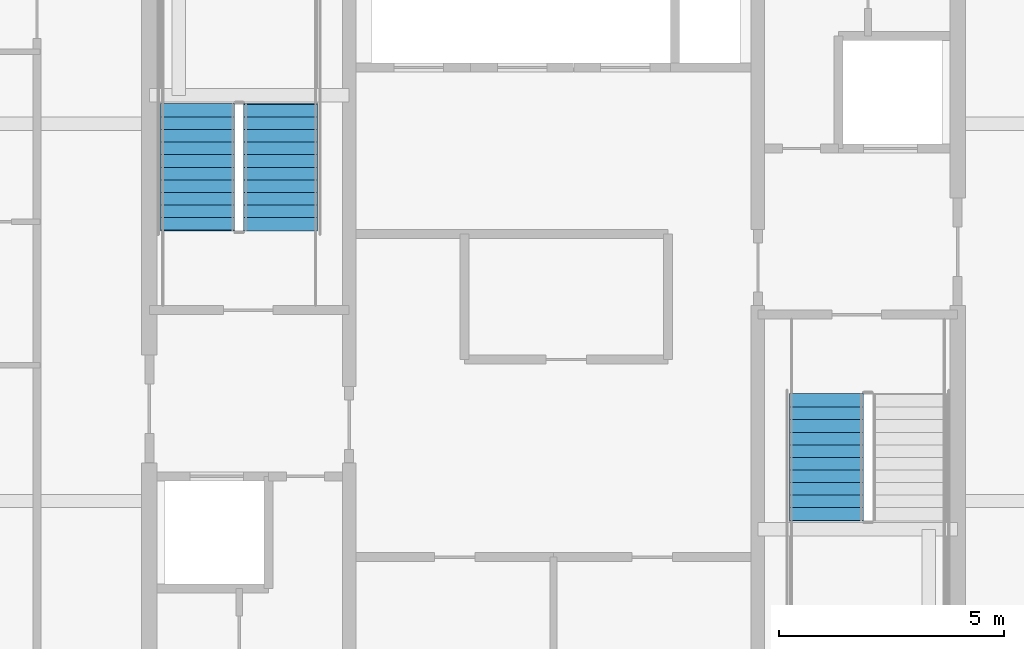
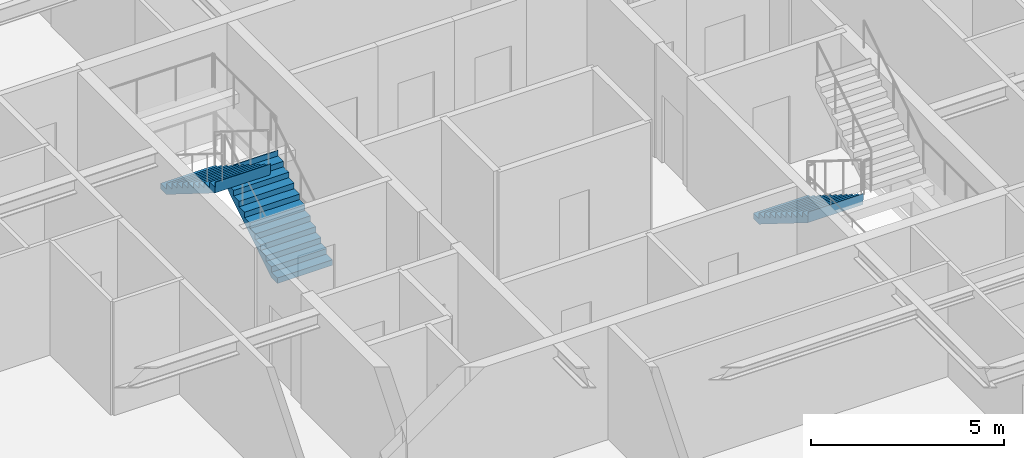
# One storey, part 30 of 37: 3 stair flights, 2 elements without a shape of their own.
"""IFC4 building model written with IfcOpenShell, lengths in metres."""

from ifc_helpers import new_model, si_unit, direction, frame, origin, place, context, subcontext, project, spatial, polygons, material, type_object, element, aggregate, save


model = new_model("IFC4")

# Units and contexts
model_context = context("Model", 3, precision=1e-05, world=origin(), true_north=direction((0.0, 1.0)))
body_context = subcontext(model_context, "Body", "Model", "MODEL_VIEW")
ifc_project = project(units=[si_unit("LENGTHUNIT", "METRE"), si_unit("AREAUNIT", "SQUARE_METRE"), si_unit("VOLUMEUNIT", "CUBIC_METRE"), si_unit("PLANEANGLEUNIT", "RADIAN"), si_unit("MASSUNIT", "GRAM", prefix="KILO")], contexts=[model_context])

# Site, building, storey
site_placement = place(None, origin())
site = spatial("IfcSite", under=ifc_project, at=site_placement, CompositionType="ELEMENT")
building_placement = place(site_placement, origin())
building = spatial("IfcBuilding", under=site, at=building_placement, Name="Serunith Strait Residences", CompositionType="ELEMENT")
storey_placement = place(building_placement, frame((0.0, 0.0, 218.14990234375)))
storey = spatial("IfcBuildingStorey", under=building, at=storey_placement, Name="L54", CompositionType="ELEMENT", Elevation=218.14990234375)

# Stair, stair flights
ifc_material = material(Name="Concrete C50/60", Category="concrete")
stair_type_1 = type_object("IfcStairType", Name="STR-CORE-1", PredefinedType="HALF_TURN_STAIR", material=ifc_material)
stair_1_placement = place(storey_placement, origin())
stair_1 = element("IfcStair", 1, at=stair_1_placement, inside=storey, type_object=stair_type_1, Name="L54 Protected Escape Stair ST-1", PredefinedType="HALF_TURN_STAIR")
stair_flight_type_1 = type_object("IfcStairFlightType", Name="FLT-CORE-1", PredefinedType="STRAIGHT", material=ifc_material)
stair_flight_1_placement = place(storey_placement, frame((26.324951171875, 27.030029296875, 0.0), z_axis=(0.0, 0.0, 1.0), x_axis=(0.0, 1.0, 0.0)))
stair_flight_1 = element("IfcStairFlight", 2, at=stair_flight_1_placement, type_object=stair_flight_type_1, Name="ST-1 flight 1", NumberOfRisers=11, NumberOfTreads=10, PredefinedType="STRAIGHT", RiserHeight=0.175, TreadLength=0.28, context=body_context, shape_type="Tessellation", body=[
    polygons([(-0.02001953125, -0.824951171875, 0.0), (-0.02001953125, -0.824951171875, 0.175048828125), (0.280029296875, -0.824951171875, 0.175048828125), (0.280029296875, -0.824951171875, 0.35009765625), (0.56005859375, -0.824951171875, 0.35009765625), (0.56005859375, -0.824951171875, 0.52490234375), (0.840087890625, -0.824951171875, 0.52490234375), (0.840087890625, -0.824951171875, 0.699951171875), (1.1201171875, -0.824951171875, 0.699951171875), (1.1201171875, -0.824951171875, 0.875), (1.39990234375, -0.824951171875, 0.875), (1.39990234375, -0.824951171875, 1.050048828125), (1.679931640625, -0.824951171875, 1.050048828125), (1.679931640625, -0.824951171875, 1.22509765625), (1.9599609375, -0.824951171875, 1.22509765625), (1.9599609375, -0.824951171875, 1.39990234375), (2.239990234375, -0.824951171875, 1.39990234375), (2.239990234375, -0.824951171875, 1.574951171875), (2.52001953125, -0.824951171875, 1.574951171875), (2.52001953125, -0.824951171875, 1.75), (2.800048828125, -0.824951171875, 1.75), (2.800048828125, -0.824951171875, 1.925048828125), (2.820068359375, -0.824951171875, 1.925048828125), (2.820068359375, -0.824951171875, 1.864990234375), (2.800048828125, -0.824951171875, 1.5732421875), (0.28271484375, -0.824951171875, 0.0), (-0.02001953125, -0.41259765625, 0.0), (-0.02001953125, -0.41259765625, 0.175048828125), (0.280029296875, -0.41259765625, 0.175048828125), (0.280029296875, -0.41259765625, 0.35009765625), (0.56005859375, -0.41259765625, 0.35009765625), (0.56005859375, -0.41259765625, 0.52490234375), (0.840087890625, -0.41259765625, 0.52490234375), (0.840087890625, -0.41259765625, 0.699951171875), (1.1201171875, -0.41259765625, 0.699951171875), (1.1201171875, -0.41259765625, 0.875), (1.39990234375, -0.41259765625, 0.875), (1.39990234375, -0.41259765625, 1.050048828125), (1.679931640625, -0.41259765625, 1.050048828125), (1.679931640625, -0.41259765625, 1.22509765625), (1.9599609375, -0.41259765625, 1.22509765625), (1.9599609375, -0.41259765625, 1.39990234375), (2.239990234375, -0.41259765625, 1.39990234375), (2.239990234375, -0.41259765625, 1.574951171875), (2.52001953125, -0.41259765625, 1.574951171875), (2.52001953125, -0.41259765625, 1.75), (2.800048828125, -0.41259765625, 1.75), (2.800048828125, -0.41259765625, 1.925048828125), (2.820068359375, -0.41259765625, 1.925048828125), (2.820068359375, -0.41259765625, 1.864990234375), (2.800048828125, -0.41259765625, 1.5732421875), (0.28271484375, -0.41259765625, 0.0), (-0.02001953125, 0.0, 0.0), (-0.02001953125, 0.0, 0.175048828125), (0.280029296875, 0.0, 0.175048828125), (0.280029296875, 0.0, 0.35009765625), (0.56005859375, 0.0, 0.35009765625), (0.56005859375, 0.0, 0.52490234375), (0.840087890625, 0.0, 0.52490234375), (0.840087890625, 0.0, 0.699951171875), (1.1201171875, 0.0, 0.699951171875), (1.1201171875, 0.0, 0.875), (1.39990234375, 0.0, 0.875), (1.39990234375, 0.0, 1.050048828125), (1.679931640625, 0.0, 1.050048828125), (1.679931640625, 0.0, 1.22509765625), (1.9599609375, 0.0, 1.22509765625), (1.9599609375, 0.0, 1.39990234375), (2.239990234375, 0.0, 1.39990234375), (2.239990234375, 0.0, 1.574951171875), (2.52001953125, 0.0, 1.574951171875), (2.52001953125, 0.0, 1.75), (2.800048828125, 0.0, 1.75), (2.800048828125, 0.0, 1.925048828125), (2.820068359375, 0.0, 1.925048828125), (2.820068359375, 0.0, 1.864990234375), (2.800048828125, 0.0, 1.5732421875), (0.28271484375, 0.0, 0.0), (-0.02001953125, 0.41259765625, 0.0), (-0.02001953125, 0.41259765625, 0.175048828125), (0.280029296875, 0.41259765625, 0.175048828125), (0.280029296875, 0.41259765625, 0.35009765625), (0.56005859375, 0.41259765625, 0.35009765625), (0.56005859375, 0.41259765625, 0.52490234375), (0.840087890625, 0.41259765625, 0.52490234375), (0.840087890625, 0.41259765625, 0.699951171875), (1.1201171875, 0.41259765625, 0.699951171875), (1.1201171875, 0.41259765625, 0.875), (1.39990234375, 0.41259765625, 0.875), (1.39990234375, 0.41259765625, 1.050048828125), (1.679931640625, 0.41259765625, 1.050048828125), (1.679931640625, 0.41259765625, 1.22509765625), (1.9599609375, 0.41259765625, 1.22509765625), (1.9599609375, 0.41259765625, 1.39990234375), (2.239990234375, 0.41259765625, 1.39990234375), (2.239990234375, 0.41259765625, 1.574951171875), (2.52001953125, 0.41259765625, 1.574951171875), (2.52001953125, 0.41259765625, 1.75), (2.800048828125, 0.41259765625, 1.75), (2.800048828125, 0.41259765625, 1.925048828125), (2.820068359375, 0.41259765625, 1.925048828125), (2.820068359375, 0.41259765625, 1.864990234375), (2.800048828125, 0.41259765625, 1.5732421875), (0.28271484375, 0.41259765625, 0.0), (-0.02001953125, 0.824951171875, 0.0), (-0.02001953125, 0.824951171875, 0.175048828125), (0.280029296875, 0.824951171875, 0.175048828125), (0.280029296875, 0.824951171875, 0.35009765625), (0.56005859375, 0.824951171875, 0.35009765625), (0.56005859375, 0.824951171875, 0.52490234375), (0.840087890625, 0.824951171875, 0.52490234375), (0.840087890625, 0.824951171875, 0.699951171875), (1.1201171875, 0.824951171875, 0.699951171875), (1.1201171875, 0.824951171875, 0.875), (1.39990234375, 0.824951171875, 0.875), (1.39990234375, 0.824951171875, 1.050048828125), (1.679931640625, 0.824951171875, 1.050048828125), (1.679931640625, 0.824951171875, 1.22509765625), (1.9599609375, 0.824951171875, 1.22509765625), (1.9599609375, 0.824951171875, 1.39990234375), (2.239990234375, 0.824951171875, 1.39990234375), (2.239990234375, 0.824951171875, 1.574951171875), (2.52001953125, 0.824951171875, 1.574951171875), (2.52001953125, 0.824951171875, 1.75), (2.800048828125, 0.824951171875, 1.75), (2.800048828125, 0.824951171875, 1.925048828125), (2.820068359375, 0.824951171875, 1.925048828125), (2.820068359375, 0.824951171875, 1.864990234375), (2.800048828125, 0.824951171875, 1.5732421875), (0.28271484375, 0.824951171875, 0.0)], [[[1, 2, 28, 27]], [[2, 3, 29, 28]], [[3, 4, 30, 29]], [[4, 5, 31, 30]], [[5, 6, 32, 31]], [[6, 7, 33, 32]], [[7, 8, 34, 33]], [[8, 9, 35, 34]], [[9, 10, 36, 35]], [[10, 11, 37, 36]], [[11, 12, 38, 37]], [[12, 13, 39, 38]], [[13, 14, 40, 39]], [[14, 15, 41, 40]], [[15, 16, 42, 41]], [[16, 17, 43, 42]], [[17, 18, 44, 43]], [[18, 19, 45, 44]], [[19, 20, 46, 45]], [[20, 21, 47, 46]], [[21, 22, 48, 47]], [[22, 23, 49, 48]], [[23, 24, 50, 49]], [[24, 25, 51, 50]], [[25, 26, 52, 51]], [[26, 1, 27, 52]], [[27, 28, 54, 53]], [[28, 29, 55, 54]], [[29, 30, 56, 55]], [[30, 31, 57, 56]], [[31, 32, 58, 57]], [[32, 33, 59, 58]], [[33, 34, 60, 59]], [[34, 35, 61, 60]], [[35, 36, 62, 61]], [[36, 37, 63, 62]], [[37, 38, 64, 63]], [[38, 39, 65, 64]], [[39, 40, 66, 65]], [[40, 41, 67, 66]], [[41, 42, 68, 67]], [[42, 43, 69, 68]], [[43, 44, 70, 69]], [[44, 45, 71, 70]], [[45, 46, 72, 71]], [[46, 47, 73, 72]], [[47, 48, 74, 73]], [[48, 49, 75, 74]], [[49, 50, 76, 75]], [[50, 51, 77, 76]], [[51, 52, 78, 77]], [[52, 27, 53, 78]], [[53, 54, 80, 79]], [[54, 55, 81, 80]], [[55, 56, 82, 81]], [[56, 57, 83, 82]], [[57, 58, 84, 83]], [[58, 59, 85, 84]], [[59, 60, 86, 85]], [[60, 61, 87, 86]], [[61, 62, 88, 87]], [[62, 63, 89, 88]], [[63, 64, 90, 89]], [[64, 65, 91, 90]], [[65, 66, 92, 91]], [[66, 67, 93, 92]], [[67, 68, 94, 93]], [[68, 69, 95, 94]], [[69, 70, 96, 95]], [[70, 71, 97, 96]], [[71, 72, 98, 97]], [[72, 73, 99, 98]], [[73, 74, 100, 99]], [[74, 75, 101, 100]], [[75, 76, 102, 101]], [[76, 77, 103, 102]], [[77, 78, 104, 103]], [[78, 53, 79, 104]], [[79, 80, 106, 105]], [[80, 81, 107, 106]], [[81, 82, 108, 107]], [[82, 83, 109, 108]], [[83, 84, 110, 109]], [[84, 85, 111, 110]], [[85, 86, 112, 111]], [[86, 87, 113, 112]], [[87, 88, 114, 113]], [[88, 89, 115, 114]], [[89, 90, 116, 115]], [[90, 91, 117, 116]], [[91, 92, 118, 117]], [[92, 93, 119, 118]], [[93, 94, 120, 119]], [[94, 95, 121, 120]], [[95, 96, 122, 121]], [[96, 97, 123, 122]], [[97, 98, 124, 123]], [[98, 99, 125, 124]], [[99, 100, 126, 125]], [[100, 101, 127, 126]], [[101, 102, 128, 127]], [[102, 103, 129, 128]], [[103, 104, 130, 129]], [[104, 79, 105, 130]], [[26, 25, 24, 23, 22, 21, 20, 19, 18, 17, 16, 15, 14, 13, 12, 11, 10, 9, 8, 7, 6, 5, 4, 3, 2, 1]], [[105, 106, 107, 108, 109, 110, 111, 112, 113, 114, 115, 116, 117, 118, 119, 120, 121, 122, 123, 124, 125, 126, 127, 128, 129, 130]]], closed=True),
])
stair_flight_2_placement = place(storey_placement, frame((24.47509765625, 29.830078125, 1.925048828125), z_axis=(0.0, 0.0, 1.0), x_axis=(0.0, -1.0, 0.0)))
stair_flight_2 = element("IfcStairFlight", 3, at=stair_flight_2_placement, type_object=stair_flight_type_1, Name="ST-1 flight 2", NumberOfRisers=11, NumberOfTreads=10, PredefinedType="STRAIGHT", RiserHeight=0.175, TreadLength=0.28, context=body_context, shape_type="Tessellation", body=[
    polygons([(-0.02001953125, -0.824951171875, 0.0), (-0.02001953125, -0.824951171875, 0.175048828125), (0.280029296875, -0.824951171875, 0.175048828125), (0.280029296875, -0.824951171875, 0.35009765625), (0.56005859375, -0.824951171875, 0.35009765625), (0.56005859375, -0.824951171875, 0.52490234375), (0.840087890625, -0.824951171875, 0.52490234375), (0.840087890625, -0.824951171875, 0.699951171875), (1.1201171875, -0.824951171875, 0.699951171875), (1.1201171875, -0.824951171875, 0.875), (1.39990234375, -0.824951171875, 0.875), (1.39990234375, -0.824951171875, 1.050048828125), (1.679931640625, -0.824951171875, 1.050048828125), (1.679931640625, -0.824951171875, 1.22509765625), (1.9599609375, -0.824951171875, 1.22509765625), (1.9599609375, -0.824951171875, 1.39990234375), (2.239990234375, -0.824951171875, 1.39990234375), (2.239990234375, -0.824951171875, 1.574951171875), (2.52001953125, -0.824951171875, 1.574951171875), (2.52001953125, -0.824951171875, 1.75), (2.800048828125, -0.824951171875, 1.75), (2.800048828125, -0.824951171875, 1.925048828125), (2.820068359375, -0.824951171875, 1.925048828125), (2.820068359375, -0.824951171875, 1.864990234375), (2.800048828125, -0.824951171875, 1.5732421875), (0.28271484375, -0.824951171875, 0.0), (-0.02001953125, -0.41259765625, 0.0), (-0.02001953125, -0.41259765625, 0.175048828125), (0.280029296875, -0.41259765625, 0.175048828125), (0.280029296875, -0.41259765625, 0.35009765625), (0.56005859375, -0.41259765625, 0.35009765625), (0.56005859375, -0.41259765625, 0.52490234375), (0.840087890625, -0.41259765625, 0.52490234375), (0.840087890625, -0.41259765625, 0.699951171875), (1.1201171875, -0.41259765625, 0.699951171875), (1.1201171875, -0.41259765625, 0.875), (1.39990234375, -0.41259765625, 0.875), (1.39990234375, -0.41259765625, 1.050048828125), (1.679931640625, -0.41259765625, 1.050048828125), (1.679931640625, -0.41259765625, 1.22509765625), (1.9599609375, -0.41259765625, 1.22509765625), (1.9599609375, -0.41259765625, 1.39990234375), (2.239990234375, -0.41259765625, 1.39990234375), (2.239990234375, -0.41259765625, 1.574951171875), (2.52001953125, -0.41259765625, 1.574951171875), (2.52001953125, -0.41259765625, 1.75), (2.800048828125, -0.41259765625, 1.75), (2.800048828125, -0.41259765625, 1.925048828125), (2.820068359375, -0.41259765625, 1.925048828125), (2.820068359375, -0.41259765625, 1.864990234375), (2.800048828125, -0.41259765625, 1.5732421875), (0.28271484375, -0.41259765625, 0.0), (-0.02001953125, 0.0, 0.0), (-0.02001953125, 0.0, 0.175048828125), (0.280029296875, 0.0, 0.175048828125), (0.280029296875, 0.0, 0.35009765625), (0.56005859375, 0.0, 0.35009765625), (0.56005859375, 0.0, 0.52490234375), (0.840087890625, 0.0, 0.52490234375), (0.840087890625, 0.0, 0.699951171875), (1.1201171875, 0.0, 0.699951171875), (1.1201171875, 0.0, 0.875), (1.39990234375, 0.0, 0.875), (1.39990234375, 0.0, 1.050048828125), (1.679931640625, 0.0, 1.050048828125), (1.679931640625, 0.0, 1.22509765625), (1.9599609375, 0.0, 1.22509765625), (1.9599609375, 0.0, 1.39990234375), (2.239990234375, 0.0, 1.39990234375), (2.239990234375, 0.0, 1.574951171875), (2.52001953125, 0.0, 1.574951171875), (2.52001953125, 0.0, 1.75), (2.800048828125, 0.0, 1.75), (2.800048828125, 0.0, 1.925048828125), (2.820068359375, 0.0, 1.925048828125), (2.820068359375, 0.0, 1.864990234375), (2.800048828125, 0.0, 1.5732421875), (0.28271484375, 0.0, 0.0), (-0.02001953125, 0.41259765625, 0.0), (-0.02001953125, 0.41259765625, 0.175048828125), (0.280029296875, 0.41259765625, 0.175048828125), (0.280029296875, 0.41259765625, 0.35009765625), (0.56005859375, 0.41259765625, 0.35009765625), (0.56005859375, 0.41259765625, 0.52490234375), (0.840087890625, 0.41259765625, 0.52490234375), (0.840087890625, 0.41259765625, 0.699951171875), (1.1201171875, 0.41259765625, 0.699951171875), (1.1201171875, 0.41259765625, 0.875), (1.39990234375, 0.41259765625, 0.875), (1.39990234375, 0.41259765625, 1.050048828125), (1.679931640625, 0.41259765625, 1.050048828125), (1.679931640625, 0.41259765625, 1.22509765625), (1.9599609375, 0.41259765625, 1.22509765625), (1.9599609375, 0.41259765625, 1.39990234375), (2.239990234375, 0.41259765625, 1.39990234375), (2.239990234375, 0.41259765625, 1.574951171875), (2.52001953125, 0.41259765625, 1.574951171875), (2.52001953125, 0.41259765625, 1.75), (2.800048828125, 0.41259765625, 1.75), (2.800048828125, 0.41259765625, 1.925048828125), (2.820068359375, 0.41259765625, 1.925048828125), (2.820068359375, 0.41259765625, 1.864990234375), (2.800048828125, 0.41259765625, 1.5732421875), (0.28271484375, 0.41259765625, 0.0), (-0.02001953125, 0.824951171875, 0.0), (-0.02001953125, 0.824951171875, 0.175048828125), (0.280029296875, 0.824951171875, 0.175048828125), (0.280029296875, 0.824951171875, 0.35009765625), (0.56005859375, 0.824951171875, 0.35009765625), (0.56005859375, 0.824951171875, 0.52490234375), (0.840087890625, 0.824951171875, 0.52490234375), (0.840087890625, 0.824951171875, 0.699951171875), (1.1201171875, 0.824951171875, 0.699951171875), (1.1201171875, 0.824951171875, 0.875), (1.39990234375, 0.824951171875, 0.875), (1.39990234375, 0.824951171875, 1.050048828125), (1.679931640625, 0.824951171875, 1.050048828125), (1.679931640625, 0.824951171875, 1.22509765625), (1.9599609375, 0.824951171875, 1.22509765625), (1.9599609375, 0.824951171875, 1.39990234375), (2.239990234375, 0.824951171875, 1.39990234375), (2.239990234375, 0.824951171875, 1.574951171875), (2.52001953125, 0.824951171875, 1.574951171875), (2.52001953125, 0.824951171875, 1.75), (2.800048828125, 0.824951171875, 1.75), (2.800048828125, 0.824951171875, 1.925048828125), (2.820068359375, 0.824951171875, 1.925048828125), (2.820068359375, 0.824951171875, 1.864990234375), (2.800048828125, 0.824951171875, 1.5732421875), (0.28271484375, 0.824951171875, 0.0)], [[[1, 2, 28, 27]], [[2, 3, 29, 28]], [[3, 4, 30, 29]], [[4, 5, 31, 30]], [[5, 6, 32, 31]], [[6, 7, 33, 32]], [[7, 8, 34, 33]], [[8, 9, 35, 34]], [[9, 10, 36, 35]], [[10, 11, 37, 36]], [[11, 12, 38, 37]], [[12, 13, 39, 38]], [[13, 14, 40, 39]], [[14, 15, 41, 40]], [[15, 16, 42, 41]], [[16, 17, 43, 42]], [[17, 18, 44, 43]], [[18, 19, 45, 44]], [[19, 20, 46, 45]], [[20, 21, 47, 46]], [[21, 22, 48, 47]], [[22, 23, 49, 48]], [[23, 24, 50, 49]], [[24, 25, 51, 50]], [[25, 26, 52, 51]], [[26, 1, 27, 52]], [[27, 28, 54, 53]], [[28, 29, 55, 54]], [[29, 30, 56, 55]], [[30, 31, 57, 56]], [[31, 32, 58, 57]], [[32, 33, 59, 58]], [[33, 34, 60, 59]], [[34, 35, 61, 60]], [[35, 36, 62, 61]], [[36, 37, 63, 62]], [[37, 38, 64, 63]], [[38, 39, 65, 64]], [[39, 40, 66, 65]], [[40, 41, 67, 66]], [[41, 42, 68, 67]], [[42, 43, 69, 68]], [[43, 44, 70, 69]], [[44, 45, 71, 70]], [[45, 46, 72, 71]], [[46, 47, 73, 72]], [[47, 48, 74, 73]], [[48, 49, 75, 74]], [[49, 50, 76, 75]], [[50, 51, 77, 76]], [[51, 52, 78, 77]], [[52, 27, 53, 78]], [[53, 54, 80, 79]], [[54, 55, 81, 80]], [[55, 56, 82, 81]], [[56, 57, 83, 82]], [[57, 58, 84, 83]], [[58, 59, 85, 84]], [[59, 60, 86, 85]], [[60, 61, 87, 86]], [[61, 62, 88, 87]], [[62, 63, 89, 88]], [[63, 64, 90, 89]], [[64, 65, 91, 90]], [[65, 66, 92, 91]], [[66, 67, 93, 92]], [[67, 68, 94, 93]], [[68, 69, 95, 94]], [[69, 70, 96, 95]], [[70, 71, 97, 96]], [[71, 72, 98, 97]], [[72, 73, 99, 98]], [[73, 74, 100, 99]], [[74, 75, 101, 100]], [[75, 76, 102, 101]], [[76, 77, 103, 102]], [[77, 78, 104, 103]], [[78, 53, 79, 104]], [[79, 80, 106, 105]], [[80, 81, 107, 106]], [[81, 82, 108, 107]], [[82, 83, 109, 108]], [[83, 84, 110, 109]], [[84, 85, 111, 110]], [[85, 86, 112, 111]], [[86, 87, 113, 112]], [[87, 88, 114, 113]], [[88, 89, 115, 114]], [[89, 90, 116, 115]], [[90, 91, 117, 116]], [[91, 92, 118, 117]], [[92, 93, 119, 118]], [[93, 94, 120, 119]], [[94, 95, 121, 120]], [[95, 96, 122, 121]], [[96, 97, 123, 122]], [[97, 98, 124, 123]], [[98, 99, 125, 124]], [[99, 100, 126, 125]], [[100, 101, 127, 126]], [[101, 102, 128, 127]], [[102, 103, 129, 128]], [[103, 104, 130, 129]], [[104, 79, 105, 130]], [[26, 25, 24, 23, 22, 21, 20, 19, 18, 17, 16, 15, 14, 13, 12, 11, 10, 9, 8, 7, 6, 5, 4, 3, 2, 1]], [[105, 106, 107, 108, 109, 110, 111, 112, 113, 114, 115, 116, 117, 118, 119, 120, 121, 122, 123, 124, 125, 126, 127, 128, 129, 130]]], closed=True),
])
aggregate(stair_1, [stair_flight_1, stair_flight_2])

# Stair, stair flight
stair_type_2 = type_object("IfcStairType", Name="STR-CORE-2", PredefinedType="HALF_TURN_STAIR", material=ifc_material)
stair_2_placement = place(storey_placement, origin())
stair_2 = element("IfcStair", 4, at=stair_2_placement, inside=storey, type_object=stair_type_2, Name="L54 Protected Escape Stair ST-2", PredefinedType="HALF_TURN_STAIR")
stair_flight_type_2 = type_object("IfcStairFlightType", Name="FLT-CORE-2", PredefinedType="STRAIGHT", material=ifc_material)
stair_flight_3_placement = place(storey_placement, frame((38.47509765625, 23.3701171875, 0.0), z_axis=(0.0, 0.0, 1.0), x_axis=(0.0, -1.0, 0.0)))
stair_flight_3 = element("IfcStairFlight", 5, at=stair_flight_3_placement, type_object=stair_flight_type_2, Name="ST-2 flight 1", NumberOfRisers=11, NumberOfTreads=10, PredefinedType="STRAIGHT", RiserHeight=0.175, TreadLength=0.28, context=body_context, shape_type="Tessellation", body=[
    polygons([(-0.02001953125, -0.824951171875, 0.0), (-0.02001953125, -0.824951171875, 0.175048828125), (0.280029296875, -0.824951171875, 0.175048828125), (0.280029296875, -0.824951171875, 0.35009765625), (0.56005859375, -0.824951171875, 0.35009765625), (0.56005859375, -0.824951171875, 0.52490234375), (0.840087890625, -0.824951171875, 0.52490234375), (0.840087890625, -0.824951171875, 0.699951171875), (1.1201171875, -0.824951171875, 0.699951171875), (1.1201171875, -0.824951171875, 0.875), (1.39990234375, -0.824951171875, 0.875), (1.39990234375, -0.824951171875, 1.050048828125), (1.679931640625, -0.824951171875, 1.050048828125), (1.679931640625, -0.824951171875, 1.22509765625), (1.9599609375, -0.824951171875, 1.22509765625), (1.9599609375, -0.824951171875, 1.39990234375), (2.239990234375, -0.824951171875, 1.39990234375), (2.239990234375, -0.824951171875, 1.574951171875), (2.52001953125, -0.824951171875, 1.574951171875), (2.52001953125, -0.824951171875, 1.75), (2.800048828125, -0.824951171875, 1.75), (2.800048828125, -0.824951171875, 1.925048828125), (2.820068359375, -0.824951171875, 1.925048828125), (2.820068359375, -0.824951171875, 1.864990234375), (2.800048828125, -0.824951171875, 1.5732421875), (0.28271484375, -0.824951171875, 0.0), (-0.02001953125, -0.41259765625, 0.0), (-0.02001953125, -0.41259765625, 0.175048828125), (0.280029296875, -0.41259765625, 0.175048828125), (0.280029296875, -0.41259765625, 0.35009765625), (0.56005859375, -0.41259765625, 0.35009765625), (0.56005859375, -0.41259765625, 0.52490234375), (0.840087890625, -0.41259765625, 0.52490234375), (0.840087890625, -0.41259765625, 0.699951171875), (1.1201171875, -0.41259765625, 0.699951171875), (1.1201171875, -0.41259765625, 0.875), (1.39990234375, -0.41259765625, 0.875), (1.39990234375, -0.41259765625, 1.050048828125), (1.679931640625, -0.41259765625, 1.050048828125), (1.679931640625, -0.41259765625, 1.22509765625), (1.9599609375, -0.41259765625, 1.22509765625), (1.9599609375, -0.41259765625, 1.39990234375), (2.239990234375, -0.41259765625, 1.39990234375), (2.239990234375, -0.41259765625, 1.574951171875), (2.52001953125, -0.41259765625, 1.574951171875), (2.52001953125, -0.41259765625, 1.75), (2.800048828125, -0.41259765625, 1.75), (2.800048828125, -0.41259765625, 1.925048828125), (2.820068359375, -0.41259765625, 1.925048828125), (2.820068359375, -0.41259765625, 1.864990234375), (2.800048828125, -0.41259765625, 1.5732421875), (0.28271484375, -0.41259765625, 0.0), (-0.02001953125, 0.0, 0.0), (-0.02001953125, 0.0, 0.175048828125), (0.280029296875, 0.0, 0.175048828125), (0.280029296875, 0.0, 0.35009765625), (0.56005859375, 0.0, 0.35009765625), (0.56005859375, 0.0, 0.52490234375), (0.840087890625, 0.0, 0.52490234375), (0.840087890625, 0.0, 0.699951171875), (1.1201171875, 0.0, 0.699951171875), (1.1201171875, 0.0, 0.875), (1.39990234375, 0.0, 0.875), (1.39990234375, 0.0, 1.050048828125), (1.679931640625, 0.0, 1.050048828125), (1.679931640625, 0.0, 1.22509765625), (1.9599609375, 0.0, 1.22509765625), (1.9599609375, 0.0, 1.39990234375), (2.239990234375, 0.0, 1.39990234375), (2.239990234375, 0.0, 1.574951171875), (2.52001953125, 0.0, 1.574951171875), (2.52001953125, 0.0, 1.75), (2.800048828125, 0.0, 1.75), (2.800048828125, 0.0, 1.925048828125), (2.820068359375, 0.0, 1.925048828125), (2.820068359375, 0.0, 1.864990234375), (2.800048828125, 0.0, 1.5732421875), (0.28271484375, 0.0, 0.0), (-0.02001953125, 0.41259765625, 0.0), (-0.02001953125, 0.41259765625, 0.175048828125), (0.280029296875, 0.41259765625, 0.175048828125), (0.280029296875, 0.41259765625, 0.35009765625), (0.56005859375, 0.41259765625, 0.35009765625), (0.56005859375, 0.41259765625, 0.52490234375), (0.840087890625, 0.41259765625, 0.52490234375), (0.840087890625, 0.41259765625, 0.699951171875), (1.1201171875, 0.41259765625, 0.699951171875), (1.1201171875, 0.41259765625, 0.875), (1.39990234375, 0.41259765625, 0.875), (1.39990234375, 0.41259765625, 1.050048828125), (1.679931640625, 0.41259765625, 1.050048828125), (1.679931640625, 0.41259765625, 1.22509765625), (1.9599609375, 0.41259765625, 1.22509765625), (1.9599609375, 0.41259765625, 1.39990234375), (2.239990234375, 0.41259765625, 1.39990234375), (2.239990234375, 0.41259765625, 1.574951171875), (2.52001953125, 0.41259765625, 1.574951171875), (2.52001953125, 0.41259765625, 1.75), (2.800048828125, 0.41259765625, 1.75), (2.800048828125, 0.41259765625, 1.925048828125), (2.820068359375, 0.41259765625, 1.925048828125), (2.820068359375, 0.41259765625, 1.864990234375), (2.800048828125, 0.41259765625, 1.5732421875), (0.28271484375, 0.41259765625, 0.0), (-0.02001953125, 0.824951171875, 0.0), (-0.02001953125, 0.824951171875, 0.175048828125), (0.280029296875, 0.824951171875, 0.175048828125), (0.280029296875, 0.824951171875, 0.35009765625), (0.56005859375, 0.824951171875, 0.35009765625), (0.56005859375, 0.824951171875, 0.52490234375), (0.840087890625, 0.824951171875, 0.52490234375), (0.840087890625, 0.824951171875, 0.699951171875), (1.1201171875, 0.824951171875, 0.699951171875), (1.1201171875, 0.824951171875, 0.875), (1.39990234375, 0.824951171875, 0.875), (1.39990234375, 0.824951171875, 1.050048828125), (1.679931640625, 0.824951171875, 1.050048828125), (1.679931640625, 0.824951171875, 1.22509765625), (1.9599609375, 0.824951171875, 1.22509765625), (1.9599609375, 0.824951171875, 1.39990234375), (2.239990234375, 0.824951171875, 1.39990234375), (2.239990234375, 0.824951171875, 1.574951171875), (2.52001953125, 0.824951171875, 1.574951171875), (2.52001953125, 0.824951171875, 1.75), (2.800048828125, 0.824951171875, 1.75), (2.800048828125, 0.824951171875, 1.925048828125), (2.820068359375, 0.824951171875, 1.925048828125), (2.820068359375, 0.824951171875, 1.864990234375), (2.800048828125, 0.824951171875, 1.5732421875), (0.28271484375, 0.824951171875, 0.0)], [[[1, 2, 28, 27]], [[2, 3, 29, 28]], [[3, 4, 30, 29]], [[4, 5, 31, 30]], [[5, 6, 32, 31]], [[6, 7, 33, 32]], [[7, 8, 34, 33]], [[8, 9, 35, 34]], [[9, 10, 36, 35]], [[10, 11, 37, 36]], [[11, 12, 38, 37]], [[12, 13, 39, 38]], [[13, 14, 40, 39]], [[14, 15, 41, 40]], [[15, 16, 42, 41]], [[16, 17, 43, 42]], [[17, 18, 44, 43]], [[18, 19, 45, 44]], [[19, 20, 46, 45]], [[20, 21, 47, 46]], [[21, 22, 48, 47]], [[22, 23, 49, 48]], [[23, 24, 50, 49]], [[24, 25, 51, 50]], [[25, 26, 52, 51]], [[26, 1, 27, 52]], [[27, 28, 54, 53]], [[28, 29, 55, 54]], [[29, 30, 56, 55]], [[30, 31, 57, 56]], [[31, 32, 58, 57]], [[32, 33, 59, 58]], [[33, 34, 60, 59]], [[34, 35, 61, 60]], [[35, 36, 62, 61]], [[36, 37, 63, 62]], [[37, 38, 64, 63]], [[38, 39, 65, 64]], [[39, 40, 66, 65]], [[40, 41, 67, 66]], [[41, 42, 68, 67]], [[42, 43, 69, 68]], [[43, 44, 70, 69]], [[44, 45, 71, 70]], [[45, 46, 72, 71]], [[46, 47, 73, 72]], [[47, 48, 74, 73]], [[48, 49, 75, 74]], [[49, 50, 76, 75]], [[50, 51, 77, 76]], [[51, 52, 78, 77]], [[52, 27, 53, 78]], [[53, 54, 80, 79]], [[54, 55, 81, 80]], [[55, 56, 82, 81]], [[56, 57, 83, 82]], [[57, 58, 84, 83]], [[58, 59, 85, 84]], [[59, 60, 86, 85]], [[60, 61, 87, 86]], [[61, 62, 88, 87]], [[62, 63, 89, 88]], [[63, 64, 90, 89]], [[64, 65, 91, 90]], [[65, 66, 92, 91]], [[66, 67, 93, 92]], [[67, 68, 94, 93]], [[68, 69, 95, 94]], [[69, 70, 96, 95]], [[70, 71, 97, 96]], [[71, 72, 98, 97]], [[72, 73, 99, 98]], [[73, 74, 100, 99]], [[74, 75, 101, 100]], [[75, 76, 102, 101]], [[76, 77, 103, 102]], [[77, 78, 104, 103]], [[78, 53, 79, 104]], [[79, 80, 106, 105]], [[80, 81, 107, 106]], [[81, 82, 108, 107]], [[82, 83, 109, 108]], [[83, 84, 110, 109]], [[84, 85, 111, 110]], [[85, 86, 112, 111]], [[86, 87, 113, 112]], [[87, 88, 114, 113]], [[88, 89, 115, 114]], [[89, 90, 116, 115]], [[90, 91, 117, 116]], [[91, 92, 118, 117]], [[92, 93, 119, 118]], [[93, 94, 120, 119]], [[94, 95, 121, 120]], [[95, 96, 122, 121]], [[96, 97, 123, 122]], [[97, 98, 124, 123]], [[98, 99, 125, 124]], [[99, 100, 126, 125]], [[100, 101, 127, 126]], [[101, 102, 128, 127]], [[102, 103, 129, 128]], [[103, 104, 130, 129]], [[104, 79, 105, 130]], [[26, 25, 24, 23, 22, 21, 20, 19, 18, 17, 16, 15, 14, 13, 12, 11, 10, 9, 8, 7, 6, 5, 4, 3, 2, 1]], [[105, 106, 107, 108, 109, 110, 111, 112, 113, 114, 115, 116, 117, 118, 119, 120, 121, 122, 123, 124, 125, 126, 127, 128, 129, 130]]], closed=True),
])
aggregate(stair_2, [stair_flight_3])

save(model, "model.ifc")
